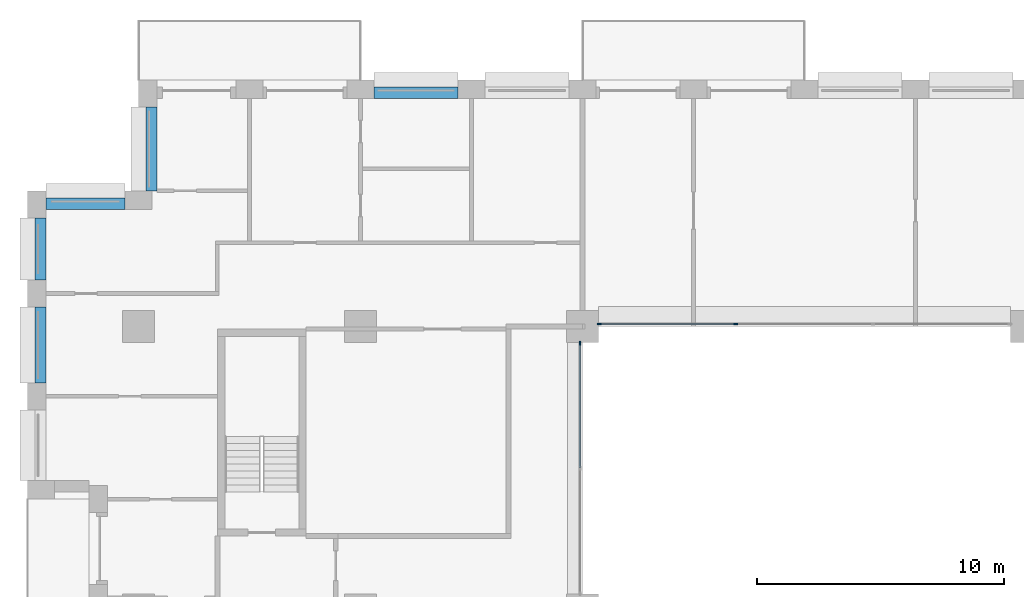
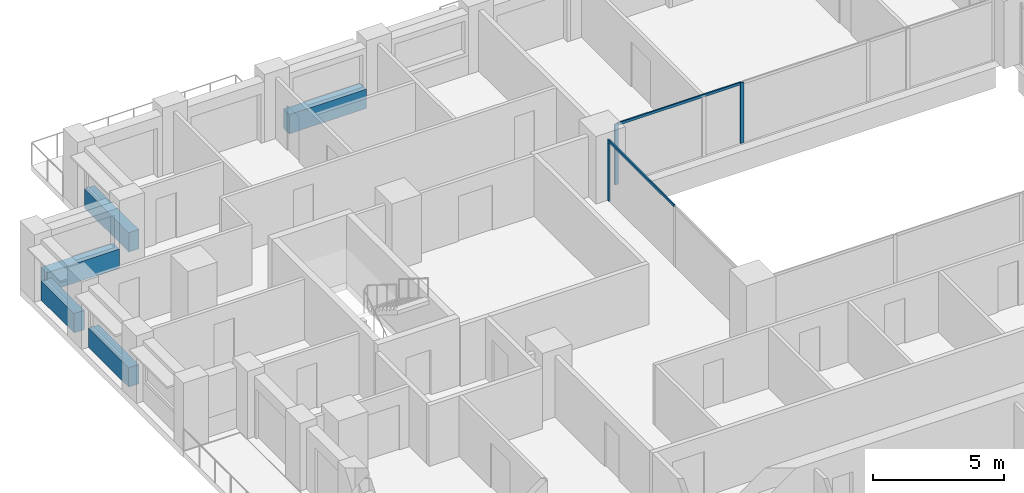
# One storey, part 5 of 16: 5 beams, 5 members, 2 elements without a shape of their own.
"""IFC4 building model written with IfcOpenShell, lengths in metres."""

import ifcopenshell
import ifcopenshell.guid

model = None  # the IFC model being written
_history = None  # IfcOwnerHistory: only IFC2X3 demands one
_inside = {}  # id of a spatial element -> (the spatial element, [elements in it])
_under = {}  # id of a project, library or spatial element -> (it, [spatial elements below it])
_declared = {}  # id of a project -> (the project, [libraries it declares])
_typed = {}  # id of a type object -> (the type object, [elements of that type])
_made_of = {}  # id of a material, layer set ... -> (it, [elements and type objects made of it])


def new_model(schema):
    """Start an empty IFC model of exactly this schema.

    Asked for "IFC4X3", IfcOpenShell would pick the latest addendum, in which some entities
    have other attributes; the version numbers below select the first issue.
    IFC2X3 requires an IfcOwnerHistory on every rooted entity: one is made here for all.
    """
    global model, _history
    if schema == "IFC4X3":
        model = ifcopenshell.file(schema_version=(4, 3, 0, 0))
    else:
        model = ifcopenshell.file(schema=schema)
    _inside.clear()
    _under.clear()
    _declared.clear()
    _typed.clear()
    _made_of.clear()
    _history = None
    if model.schema == "IFC2X3":
        org = make("IfcOrganization", Name="unknown")
        user = make(
            "IfcPersonAndOrganization",
            ThePerson=make("IfcPerson", FamilyName="unknown"),
            TheOrganization=org,
        )
        app = make(
            "IfcApplication",
            ApplicationDeveloper=org,
            Version="unknown",
            ApplicationFullName="unknown",
            ApplicationIdentifier="unknown",
        )
        _history = make(
            "IfcOwnerHistory",
            OwningUser=user,
            OwningApplication=app,
            ChangeAction="ADDED",
            CreationDate=0,
        )
    return model


def make(cls, **values):
    """One entity of the class cls with the attributes given. An attribute that is None is left unset."""
    return model.create_entity(
        cls, **{name: value for name, value in values.items() if value is not None}
    )


def rooted(cls, **values):
    """An entity with a GlobalId (a new one), such as an element, a storey or a relation."""
    return make(cls, GlobalId=ifcopenshell.guid.new(), OwnerHistory=_history, **values)


def si_unit(unit_type, name, prefix=None):
    """IfcSIUnit, for example si_unit("LENGTHUNIT", "METRE", prefix="MILLI")."""
    return make("IfcSIUnit", UnitType=unit_type, Prefix=prefix, Name=name)


def assignment(units):
    """IfcUnitAssignment: the units of a project."""
    return None if units is None else make("IfcUnitAssignment", Units=units)


def point(xyz):
    """IfcCartesianPoint."""
    return None if xyz is None else make("IfcCartesianPoint", Coordinates=xyz)


def direction(xyz):
    """IfcDirection."""
    return None if xyz is None else make("IfcDirection", DirectionRatios=xyz)


def frame(location, z_axis=None, x_axis=None):
    """IfcAxis2Placement3D, a coordinate frame: its origin and axes. An axis left out is left unset."""
    return make(
        "IfcAxis2Placement3D",
        Location=point(location),
        Axis=direction(z_axis),
        RefDirection=direction(x_axis),
    )


def frame_2d(location, x_axis=None):
    """IfcAxis2Placement2D, a coordinate frame in the plane: its origin and x axis."""
    return make(
        "IfcAxis2Placement2D", Location=point(location), RefDirection=direction(x_axis)
    )


def origin():
    """The frame at (0, 0, 0) with its axes left unset."""
    return frame((0.0, 0.0, 0.0))


def origin_2d():
    """The frame at (0, 0) in the plane with its x axis left unset."""
    return frame_2d((0.0, 0.0))


def place(relative_to, where):
    """IfcLocalPlacement: puts the frame where relative to a parent placement (None: the world)."""
    return make(
        "IfcLocalPlacement", PlacementRelTo=relative_to, RelativePlacement=where
    )


def context(
    kind, dimensions, precision=None, world=None, true_north=None, identifier=None
):
    """IfcGeometricRepresentationContext, for example the 3D "Model" context."""
    return make(
        "IfcGeometricRepresentationContext",
        ContextIdentifier=identifier,
        ContextType=kind,
        CoordinateSpaceDimension=dimensions,
        Precision=precision,
        WorldCoordinateSystem=world,
        TrueNorth=true_north,
    )


def subcontext(parent, identifier, kind, view, scale=None):
    """IfcGeometricRepresentationSubContext, for example "Body" below "Model"."""
    return make(
        "IfcGeometricRepresentationSubContext",
        ContextIdentifier=identifier,
        ContextType=kind,
        ParentContext=parent,
        TargetScale=scale,
        TargetView=view,
    )


def project(units=None, contexts=None):
    """IfcProject with its units and contexts."""
    return rooted(
        "IfcProject",
        Name="project",
        RepresentationContexts=contexts,
        UnitsInContext=assignment(units),
    )


def spatial(cls, under=None, at=None, **own):
    """A site, building, storey or space (cls), placed at a placement, below another one or the project."""
    s = rooted(cls, ObjectPlacement=at, **own)
    if under is not None:
        _under.setdefault(under.id(), (under, []))[1].append(s)
    return s


def profile(cls, at=None, kind="AREA", **sizes):
    """A parametric profile (cls). Its sizes go by their IFC names, for example OverallWidth=200.0."""
    return make(cls, ProfileType=kind, Position=at, **sizes)


def rectangle(**sizes):
    """IfcRectangleProfileDef."""
    return profile("IfcRectangleProfileDef", **sizes)


def extrude(swept, where, along, depth):
    """IfcExtrudedAreaSolid: the profile swept, set in the frame where, extruded along a direction by depth."""
    return make(
        "IfcExtrudedAreaSolid",
        SweptArea=swept,
        Position=where,
        ExtrudedDirection=direction(along),
        Depth=depth,
    )


def shape(context_of_items, identifier, shape_type, items):
    """IfcShapeRepresentation: the items that make up one representation, for example the "Body"."""
    return make(
        "IfcShapeRepresentation",
        ContextOfItems=context_of_items,
        RepresentationIdentifier=identifier,
        RepresentationType=shape_type,
        Items=items,
    )


def material(Name=None, Category=None):
    """IfcMaterial."""
    return make("IfcMaterial", Name=Name, Category=Category)


def layer(
    of_material, thickness, ventilated=None, Name=None, Category=None, Priority=None
):
    """IfcMaterialLayer: one layer of a wall or slab, of a material (None: an air gap)."""
    return make(
        "IfcMaterialLayer",
        Material=of_material,
        LayerThickness=thickness,
        IsVentilated=ventilated,
        Name=Name,
        Category=Category,
        Priority=Priority,
    )


def layer_set(layers, Name=None):
    """IfcMaterialLayerSet."""
    return make("IfcMaterialLayerSet", MaterialLayers=layers, LayerSetName=Name)


def material_profile(
    of_material, cross_section, Name=None, Category=None, Priority=None
):
    """IfcMaterialProfile: a cross section and its material."""
    return make(
        "IfcMaterialProfile",
        Name=Name,
        Material=of_material,
        Profile=cross_section,
        Priority=Priority,
        Category=Category,
    )


def profile_set(profiles, Name=None, composite=None):
    """IfcMaterialProfileSet."""
    return make(
        "IfcMaterialProfileSet",
        Name=Name,
        MaterialProfiles=profiles,
        CompositeProfile=composite,
    )


def made_of(thing, what):
    """Note that an element or type object is made of a material, layer set ...; save() writes the relation."""
    if what is not None:
        _made_of.setdefault(what.id(), (what, []))[1].append(thing)
    return thing


def type_object(cls, material=None, **own):
    """A type object (cls), such as IfcWallType, which elements share."""
    return made_of(rooted(cls, **own), material)


def element(
    cls,
    number,
    at=None,
    inside=None,
    cuts=None,
    type_object=None,
    material=None,
    context=None,
    identifier="Body",
    shape_type=None,
    held_by="IfcProductDefinitionShape",
    body=None,
    shapes=None,
    **own,
):
    """One element of the class cls, such as IfcWall. Its Tag is "e" and its number.

    at: its placement. inside: the storey or other place that contains it. cuts: it is an
    opening in that element (IfcRelVoidsElement). A single representation is given by context,
    identifier, shape_type and body (its items); several are given by shapes. held_by: the class
    of the entity that holds the representations. save() writes the other relations.
    """
    e = rooted(cls, Tag="e%d" % number, ObjectPlacement=at, **own)
    if body is not None:
        shapes = [shape(context, identifier, shape_type, body)]
    if shapes is not None:
        e.Representation = make(held_by, Representations=shapes)
    if inside is not None:
        _inside.setdefault(inside.id(), (inside, []))[1].append(e)
    if cuts is not None:
        rooted(
            "IfcRelVoidsElement", RelatingBuildingElement=cuts, RelatedOpeningElement=e
        )
    if type_object is not None:
        _typed.setdefault(type_object.id(), (type_object, []))[1].append(e)
    return made_of(e, material)


def aggregate(whole, parts):
    """IfcRelAggregates: a whole, such as a stair, and the parts it consists of."""
    return rooted("IfcRelAggregates", RelatingObject=whole, RelatedObjects=parts)


def save(model, path):
    """Write the relations noted so far, then the file.

    IfcRelAggregates (storeys below a building ...), IfcRelContainedInSpatialStructure (elements
    in a storey), IfcRelDefinesByType, IfcRelAssociatesMaterial and IfcRelDeclares: one each for
    every whole, place, type object, material and project.
    """
    for whole, parts in _under.values():
        aggregate(whole, parts)
    for where, things in _inside.values():
        rooted(
            "IfcRelContainedInSpatialStructure",
            RelatedElements=things,
            RelatingStructure=where,
        )
    for kind, things in _typed.values():
        rooted("IfcRelDefinesByType", RelatedObjects=things, RelatingType=kind)
    for what, things in _made_of.values():
        rooted("IfcRelAssociatesMaterial", RelatedObjects=things, RelatingMaterial=what)
    for by, libraries in _declared.values():
        rooted("IfcRelDeclares", RelatingContext=by, RelatedDefinitions=libraries)
    model.write(path)


model = new_model("IFC4")

# Units and contexts
model_context = context("Model", 3, precision=1e-05, world=origin(), true_north=direction((0.0, 1.0)))
body_context = subcontext(model_context, "Body", "Model", "MODEL_VIEW")
ifc_project = project(units=[si_unit("LENGTHUNIT", "METRE"), si_unit("AREAUNIT", "SQUARE_METRE"), si_unit("VOLUMEUNIT", "CUBIC_METRE"), si_unit("PLANEANGLEUNIT", "RADIAN"), si_unit("MASSUNIT", "GRAM", prefix="KILO")], contexts=[model_context])

# Site, building, storey
site_placement = place(None, origin())
site = spatial("IfcSite", under=ifc_project, at=site_placement, CompositionType="ELEMENT")
building_placement = place(site_placement, origin())
building = spatial("IfcBuilding", under=site, at=building_placement, Name="Brigalow Station Residences", CompositionType="ELEMENT")
storey_placement = place(building_placement, frame((0.0, 0.0, 99.300048828125)))
storey = spatial("IfcBuildingStorey", under=building, at=storey_placement, Name="L28", CompositionType="ELEMENT", Elevation=99.300048828125)

# Curtain wall, members
ifc_material_1 = material(Name="Aluminium", Category="aluminium")
ifc_layer = layer(ifc_material_1, 0.14990234375)
ifc_layer_set = layer_set([ifc_layer], Name="ATRIUM FIRE-RATED GLAZING CURTAIN WALL")
curtain_wall_type = type_object("IfcCurtainWallType", Name="ATRIUM FIRE-RATED GLAZING CURTAIN WALL", PredefinedType="NOTDEFINED", material=ifc_layer_set)
curtain_wall_1_placement = place(storey_placement, origin())
curtain_wall_1 = element("IfcCurtainWall", 1, at=curtain_wall_1_placement, inside=storey, type_object=curtain_wall_type, Name="L28/cw/atrium-N", PredefinedType="NOTDEFINED")
ifc_material_2 = material(Name="Aluminium", Category="aluminium")
ifc_material_profile_1 = material_profile(ifc_material_2, rectangle(XDim=0.06005859375, YDim=0.14990234375, at=origin_2d()), Name="ATRIUM FIRE-RATED GLAZING MULLION 60x150")
ifc_profile_set_1 = profile_set([ifc_material_profile_1], Name="Aluminium")
member_type_1 = type_object("IfcMemberType", Name="ATRIUM FIRE-RATED GLAZING MULLION 60x150", PredefinedType="MULLION", material=ifc_profile_set_1)
member_1_placement = place(storey_placement, frame((33.216796875, 35.60009765625, 0.0), z_axis=(0.0, 0.0, 1.0), x_axis=(0.0, -1.0, 0.0)))
member_1 = element("IfcMember", 2, at=member_1_placement, type_object=member_type_1, Name="L28/cw/atrium-N/M02", PredefinedType="MULLION", context=body_context, shape_type="SweptSolid", body=[
    extrude(rectangle(XDim=0.06005859375, YDim=0.14990234375, at=origin_2d()), origin(), (0.0, 0.0, 1.0), 2.829833984375),
])
member_2_placement = place(storey_placement, frame((27.679931640625, 35.60009765625, 0.0), z_axis=(0.0, 0.0, 1.0), x_axis=(0.0, -1.0, 0.0)))
member_2 = element("IfcMember", 3, at=member_2_placement, type_object=member_type_1, Name="L28/cw/atrium-N/M03", PredefinedType="MULLION", context=body_context, shape_type="SweptSolid", body=[
    extrude(rectangle(XDim=0.06005859375, YDim=0.14990234375, at=origin_2d()), origin(), (0.0, 0.0, 1.0), 2.829833984375),
])

# Curtain wall, member
curtain_wall_2_placement = place(storey_placement, origin())
curtain_wall_2 = element("IfcCurtainWall", 4, at=curtain_wall_2_placement, inside=storey, type_object=curtain_wall_type, Name="L28/cw/atrium-W", PredefinedType="NOTDEFINED")
member_3_placement = place(storey_placement, frame((26.89990234375, 34.820068359375, 0.0), z_axis=(0.0, 0.0, 1.0), x_axis=(1.0, 0.0, 0.0)))
member_3 = element("IfcMember", 5, at=member_3_placement, type_object=member_type_1, Name="L28/cw/atrium-W/M00", PredefinedType="MULLION", context=body_context, shape_type="SweptSolid", body=[
    extrude(rectangle(XDim=0.06005859375, YDim=0.14990234375, at=origin_2d()), origin(), (0.0, 0.0, 1.0), 2.829833984375),
])

# Member
ifc_material_3 = material(Name="Aluminium", Category="aluminium")
ifc_material_profile_2 = material_profile(ifc_material_3, rectangle(XDim=0.06005859375, YDim=0.1201171875, at=origin_2d()), Name="ATRIUM FIRE-RATED GLAZING TRANSOM 60x120")
ifc_profile_set_2 = profile_set([ifc_material_profile_2], Name="Aluminium")
member_type_2 = type_object("IfcMemberType", Name="ATRIUM FIRE-RATED GLAZING TRANSOM 60x120", PredefinedType="USERDEFINED", material=ifc_profile_set_2)
member_4_placement = place(storey_placement, frame((33.186767578125, 35.60009765625, 2.800048828125), z_axis=(-1.0, 0.0, 0.0), x_axis=(0.0, -1.0, 0.0)))
member_4 = element("IfcMember", 6, at=member_4_placement, type_object=member_type_2, Name="L28/cw/atrium-N/T02-00", ObjectType="TRANSOM", PredefinedType="USERDEFINED", context=body_context, shape_type="SweptSolid", body=[
    extrude(rectangle(XDim=0.06005859375, YDim=0.1201171875, at=origin_2d()), origin(), (0.0, 0.0, 1.0), 5.476806640625),
])

aggregate(curtain_wall_1, [member_1, member_2, member_4])

member_5_placement = place(storey_placement, frame((26.89990234375, 34.7900390625, 2.800048828125), z_axis=(0.0, -1.0, 0.0), x_axis=(1.0, 0.0, 0.0)))
member_5 = element("IfcMember", 7, at=member_5_placement, type_object=member_type_2, Name="L28/cw/atrium-W/T00-00", ObjectType="TRANSOM", PredefinedType="USERDEFINED", context=body_context, shape_type="SweptSolid", body=[
    extrude(rectangle(XDim=0.06005859375, YDim=0.1201171875, at=origin_2d()), origin(), (0.0, 0.0, 1.0), 5.010009765625),
])

aggregate(curtain_wall_2, [member_3, member_5])

# Beams
ifc_material_4 = material(Name="Concrete C65", Category="concrete")
ifc_material_profile_3 = material_profile(ifc_material_4, rectangle(XDim=0.449951171875, YDim=0.89990234375, at=origin_2d()), Name="RC450x900")
ifc_profile_set_3 = profile_set([ifc_material_profile_3], Name="Concrete C65")
beam_type = type_object("IfcBeamType", Name="SPANDREL BEAM 450x900 C65", PredefinedType="SPANDREL", material=ifc_profile_set_3)
for number, where, z_axis, x_axis, name in (
    (8, (21.949951171875, 44.97509765625, 0.449951171875), (-1.0, 0.0, 0.0), (0.0, -1.0, 0.0), "L28/spandrel/W-L28-34"),
    (9, (9.52490234375, 44.39990234375, 0.449951171875), (0.0, -1.0, 0.0), (1.0, 0.0, 0.0), "L28/spandrel/W-L28-37"),
):
    element("IfcBeam", number, at=place(storey_placement, frame(where, z_axis=z_axis, x_axis=x_axis)), inside=storey, type_object=beam_type, Name=name, PredefinedType="SPANDREL", context=body_context, shape_type="SweptSolid", body=[
        extrude(rectangle(XDim=0.449951171875, YDim=0.89990234375, at=origin_2d()), origin(), (0.0, 0.0, 1.0), 3.39990234375),
    ])
beam_1_placement = place(storey_placement, frame((8.449951171875, 40.47509765625, 0.449951171875), z_axis=(-1.0, 0.0, 0.0), x_axis=(0.0, -1.0, 0.0)))
element("IfcBeam", 10, at=beam_1_placement, inside=storey, type_object=beam_type, Name="L28/spandrel/W-L28-38", PredefinedType="SPANDREL", context=body_context, shape_type="SweptSolid", body=[
    extrude(rectangle(XDim=0.449951171875, YDim=0.89990234375, at=origin_2d()), origin(), (0.0, 0.0, 1.0), 3.199951171875),
])
beam_2_placement = place(storey_placement, frame((5.02490234375, 39.89990234375, 0.449951171875), z_axis=(0.0, -1.0, 0.0), x_axis=(1.0, 0.0, 0.0)))
element("IfcBeam", 11, at=beam_2_placement, inside=storey, type_object=beam_type, Name="L28/spandrel/W-L28-39", PredefinedType="SPANDREL", context=body_context, shape_type="SweptSolid", body=[
    extrude(rectangle(XDim=0.449951171875, YDim=0.89990234375, at=origin_2d()), origin(), (0.0, 0.0, 1.0), 2.516845703125),
])
beam_3_placement = place(storey_placement, frame((5.02490234375, 36.282958984375, 0.449951171875), z_axis=(0.0, -1.0, 0.0), x_axis=(1.0, 0.0, 0.0)))
element("IfcBeam", 12, at=beam_3_placement, inside=storey, type_object=beam_type, Name="L28/spandrel/W-L28-40", PredefinedType="SPANDREL", context=body_context, shape_type="SweptSolid", body=[
    extrude(rectangle(XDim=0.449951171875, YDim=0.89990234375, at=origin_2d()), origin(), (0.0, 0.0, 1.0), 3.06591796875),
])

save(model, "model.ifc")
